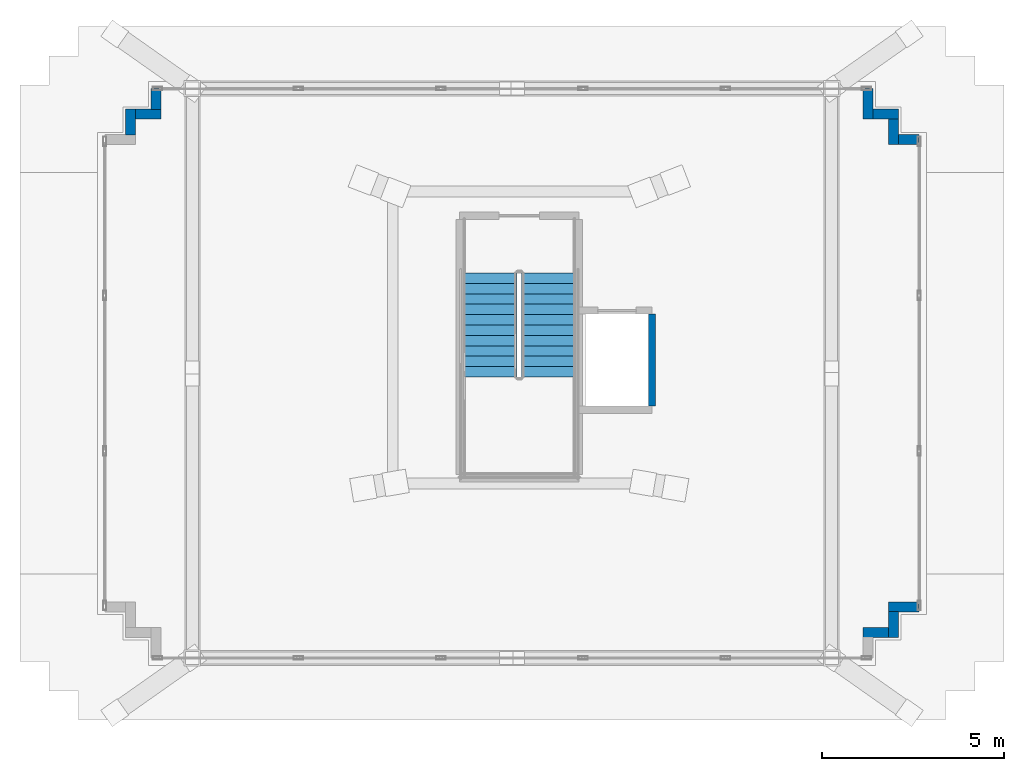
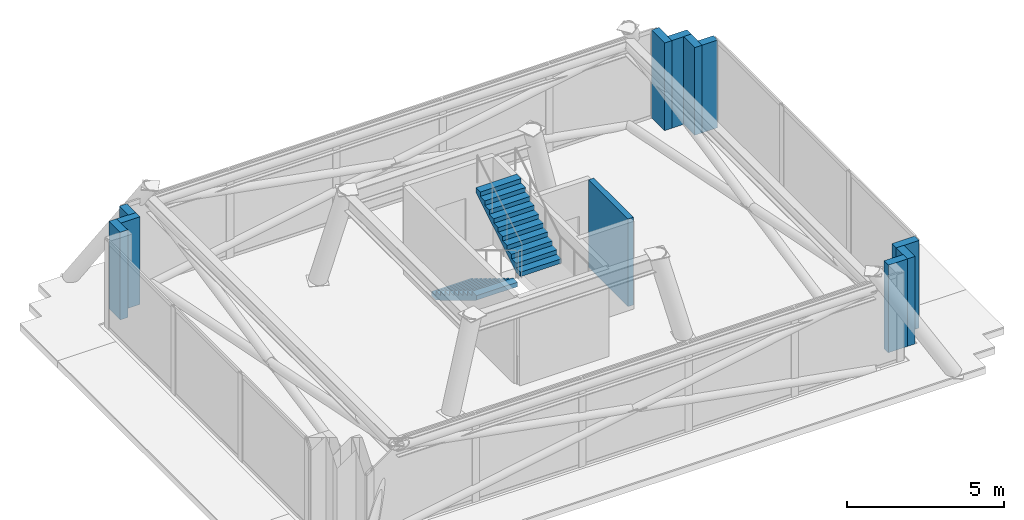
# One storey, part 6 of 8: 11 walls, 2 stair flights, 1 element without a shape of its own.
"""IFC4 building model written with IfcOpenShell, lengths in metres."""

from ifc_helpers import new_model, si_unit, direction, frame, frame_2d, origin, place, context, subcontext, project, spatial, polyline, rectangle, outline, extrude, material, layer, layer_set, type_object, element, aggregate, save


model = new_model("IFC4")

# Units and contexts
model_context = context("Model", 3, precision=1e-05, world=origin(), true_north=direction((0.0, 1.0)))
body_context = subcontext(model_context, "Body", "Model", "MODEL_VIEW")
ifc_project = project(units=[si_unit("LENGTHUNIT", "METRE"), si_unit("AREAUNIT", "SQUARE_METRE"), si_unit("VOLUMEUNIT", "CUBIC_METRE"), si_unit("PLANEANGLEUNIT", "RADIAN"), si_unit("MASSUNIT", "GRAM", prefix="KILO")], contexts=[model_context])

# Site, building, storey
site_placement = place(None, origin())
site = spatial("IfcSite", under=ifc_project, at=site_placement, CompositionType="ELEMENT")
building_placement = place(site_placement, origin())
building = spatial("IfcBuilding", under=site, at=building_placement, Name="Qobustan Lattice House", CompositionType="ELEMENT")
storey_placement = place(building_placement, frame((0.0, 0.0, 289.199951171875)))
storey = spatial("IfcBuildingStorey", under=building, at=storey_placement, Name="L81", CompositionType="ELEMENT", Elevation=289.199951171875)

# Walls
ifc_material_1 = material(Name="Precast concrete C40/50", Category="concrete")
ifc_layer_1 = layer(ifc_material_1, 0.280029296875)
ifc_layer_set_1 = layer_set([ifc_layer_1], Name="Precast concrete C40/50")
wall_type_1 = type_object("IfcWallType", Name="WAL-EXT-CROWN-280", PredefinedType="SOLIDWALL", material=ifc_layer_set_1)
wall_1_placement = place(storey_placement, frame((-10.66650390625, 4.9365234375, 0.0), z_axis=(0.0, 0.0, 1.0), x_axis=(0.0, 1.0, 0.0)))
element("IfcWall", 1, at=wall_1_placement, inside=storey, type_object=wall_type_1, Name="L81 crown faceted limestone wall 7", PredefinedType="SOLIDWALL", context=body_context, shape_type="SweptSolid", body=[
    extrude(rectangle(XDim=0.7119140625, YDim=0.280029296875, at=frame_2d((0.35595703125, 0.0))), origin(), (0.0, 0.0, 1.0), 3.400146484375),
])
wall_2_placement = place(storey_placement, frame((-10.53857421875, 5.508544921875, 0.0), z_axis=(0.0, 0.0, 1.0), x_axis=(1.0, 0.0, 0.0)))
element("IfcWall", 2, at=wall_2_placement, inside=storey, type_object=wall_type_1, Name="L81 crown faceted limestone wall 8", PredefinedType="SOLIDWALL", context=body_context, shape_type="SweptSolid", body=[
    extrude(rectangle(XDim=0.712158203125, YDim=0.280029296875, at=frame_2d((0.35595703125, 0.0))), origin(), (0.0, 0.0, 1.0), 3.400146484375),
])
wall_3_placement = place(storey_placement, frame((-9.966552734375, 5.636474609375, 0.0), z_axis=(0.0, 0.0, 1.0), x_axis=(0.0, 1.0, 0.0)))
element("IfcWall", 3, at=wall_3_placement, inside=storey, type_object=wall_type_1, Name="L81 crown faceted limestone wall 9", PredefinedType="SOLIDWALL", context=body_context, shape_type="SweptSolid", body=[
    extrude(rectangle(XDim=0.572021484375, YDim=0.280029296875, at=frame_2d((0.2861328125, 0.0))), origin(), (0.0, 0.0, 1.0), 3.400146484375),
])
wall_4_placement = place(storey_placement, frame((9.56640625, 6.20849609375, 0.0), z_axis=(0.0, 0.0, 1.0), x_axis=(0.0, -1.0, 0.0)))
element("IfcWall", 4, at=wall_4_placement, inside=storey, type_object=wall_type_1, Name="L81 crown faceted limestone wall 11", PredefinedType="SOLIDWALL", context=body_context, shape_type="SweptSolid", body=[
    extrude(rectangle(XDim=0.840087890625, YDim=0.280029296875, at=frame_2d((0.419921875, 0.0))), origin(), (0.0, 0.0, 1.0), 3.400146484375),
])
wall_5_placement = place(storey_placement, frame((9.694580078125, 5.508544921875, 0.0), z_axis=(0.0, 0.0, 1.0), x_axis=(1.0, 0.0, 0.0)))
element("IfcWall", 5, at=wall_5_placement, inside=storey, type_object=wall_type_1, Name="L81 crown faceted limestone wall 12", PredefinedType="SOLIDWALL", context=body_context, shape_type="SweptSolid", body=[
    extrude(rectangle(XDim=0.7119140625, YDim=0.280029296875, at=frame_2d((0.35595703125, 0.0))), origin(), (0.0, 0.0, 1.0), 3.400146484375),
])
wall_6_placement = place(storey_placement, frame((10.2666015625, 5.380615234375, 0.0), z_axis=(0.0, 0.0, 1.0), x_axis=(0.0, -1.0, 0.0)))
element("IfcWall", 6, at=wall_6_placement, inside=storey, type_object=wall_type_1, Name="L81 crown faceted limestone wall 13", PredefinedType="SOLIDWALL", context=body_context, shape_type="SweptSolid", body=[
    extrude(rectangle(XDim=0.712158203125, YDim=0.280029296875, at=frame_2d((0.35595703125, 0.0))), origin(), (0.0, 0.0, 1.0), 3.400146484375),
])
wall_7_placement = place(storey_placement, frame((10.39453125, 4.80859375, 0.0), z_axis=(0.0, 0.0, 1.0), x_axis=(1.0, 0.0, 0.0)))
element("IfcWall", 7, at=wall_7_placement, inside=storey, type_object=wall_type_1, Name="L81 crown faceted limestone wall 14", PredefinedType="SOLIDWALL", context=body_context, shape_type="SweptSolid", body=[
    extrude(rectangle(XDim=0.572021484375, YDim=0.280029296875, at=frame_2d((0.2861328125, 0.0))), origin(), (0.0, 0.0, 1.0), 3.400146484375),
])
wall_8_placement = place(storey_placement, frame((10.966552734375, -8.008544921875, 0.0), z_axis=(0.0, 0.0, 1.0), x_axis=(-1.0, 0.0, 0.0)))
element("IfcWall", 8, at=wall_8_placement, inside=storey, type_object=wall_type_1, Name="L81 crown faceted limestone wall 16", PredefinedType="SOLIDWALL", context=body_context, shape_type="SweptSolid", body=[
    extrude(rectangle(XDim=0.840087890625, YDim=0.280029296875, at=frame_2d((0.419921875, 0.0))), origin(), (0.0, 0.0, 1.0), 3.400146484375),
])
for number, where, z_axis, x_axis, name in (
    (9, (10.2666015625, -8.136474609375, 0.0), (0.0, 0.0, 1.0), (0.0, -1.0, 0.0), "L81 crown faceted limestone wall 17"),
    (10, (10.138427734375, -8.70849609375, 0.0), (0.0, 0.0, 1.0), (-1.0, 0.0, 0.0), "L81 crown faceted limestone wall 18"),
):
    element("IfcWall", number, at=place(storey_placement, frame(where, z_axis=z_axis, x_axis=x_axis)), inside=storey, type_object=wall_type_1, Name=name, PredefinedType="SOLIDWALL", context=body_context, shape_type="SweptSolid", body=[
        extrude(rectangle(XDim=0.7119140625, YDim=0.280029296875, at=frame_2d((0.35595703125, 0.0))), origin(), (0.0, 0.0, 1.0), 3.400146484375),
    ])
ifc_material_2 = material(Name="Concrete C40/50", Category="concrete")
ifc_layer_2 = layer(ifc_material_2, 0.199951171875)
ifc_layer_set_2 = layer_set([ifc_layer_2], Name="Concrete C40/50")
wall_type_2 = type_object("IfcWallType", Name="WAL-SHAFT-LB-200", PredefinedType="SHEAR", material=ifc_layer_set_2)
wall_9_placement = place(storey_placement, frame((3.639892578125, -2.5, 0.0), z_axis=(0.0, 0.0, 1.0), x_axis=(0.0, 1.0, 0.0)))
element("IfcWall", 11, at=wall_9_placement, inside=storey, type_object=wall_type_2, Name="L81 crown firefighting lift RC shaft wall FFC-E", PredefinedType="SHEAR", context=body_context, shape_type="SweptSolid", body=[
    extrude(rectangle(XDim=2.52001953125, YDim=0.199951171875, at=frame_2d((1.260009765625, 0.0))), origin(), (0.0, 0.0, 1.0), 3.400146484375),
])

# Stair, stair flights
ifc_material_3 = material(Name="Concrete C40/50", Category="concrete")
stair_type = type_object("IfcStairType", Name="STR-CORE-DOGLEG", PredefinedType="HALF_TURN_STAIR", material=ifc_material_3)
stair_placement = place(storey_placement, origin())
stair = element("IfcStair", 12, at=stair_placement, inside=storey, type_object=stair_type, Name="L81 Crown access stair ST-C1", PredefinedType="HALF_TURN_STAIR")
ifc_material_4 = material(Name="Concrete C40/50", Category="concrete")
stair_flight_type = type_object("IfcStairFlightType", Name="SFL-RC-1500", PredefinedType="STRAIGHT", material=ifc_material_4)
stair_flight_1_placement = place(storey_placement, frame((-0.81005859375, 1.14990234375, 0.0), z_axis=(0.0, 0.0, 1.0), x_axis=(0.0, -1.0, 0.0)))
stair_flight_1 = element("IfcStairFlight", 13, at=stair_flight_1_placement, type_object=stair_flight_type, Name="ST-C1 flight 1", NumberOfRisers=11, NumberOfTreads=10, PredefinedType="STRAIGHT", RiserHeight=0.172727273, TreadLength=0.285, context=body_context, shape_type="SweptSolid", body=[
    extrude(outline(polyline([(0.0, 0.0), (0.0, 0.172607421875), (0.284912109375, 0.172607421875), (0.284912109375, 0.345458984375), (0.570068359375, 0.345458984375), (0.570068359375, 0.51806640625), (0.85498046875, 0.51806640625), (0.85498046875, 0.69091796875), (1.139892578125, 0.69091796875), (1.139892578125, 0.863525390625), (1.425048828125, 0.863525390625), (1.425048828125, 1.036376953125), (1.7099609375, 1.036376953125), (1.7099609375, 1.208984375), (1.9951171875, 1.208984375), (1.9951171875, 1.3818359375), (2.280029296875, 1.3818359375), (2.280029296875, 1.554443359375), (2.56494140625, 1.554443359375), (2.56494140625, 1.727294921875), (2.85009765625, 1.727294921875), (2.85009765625, 1.89990234375), (2.85009765625, 1.552001953125), (0.289306640625, 0.0), (0.0, 0.0)])), frame((0.0, 0.75, 0.0), z_axis=(0.0, -1.0, 0.0), x_axis=(1.0, 0.0, 0.0)), (0.0, 0.0, 1.0), 1.5),
])
stair_flight_2_placement = place(storey_placement, frame((0.81005859375, -1.699951171875, 1.900146484375), z_axis=(0.0, 0.0, 1.0), x_axis=(0.0, 1.0, 0.0)))
stair_flight_2 = element("IfcStairFlight", 14, at=stair_flight_2_placement, type_object=stair_flight_type, Name="ST-C1 flight 2", NumberOfRisers=11, NumberOfTreads=10, PredefinedType="STRAIGHT", RiserHeight=0.172727273, TreadLength=0.285, context=body_context, shape_type="SweptSolid", body=[
    extrude(outline(polyline([(0.0, 0.0), (0.0, 0.172607421875), (0.284912109375, 0.172607421875), (0.284912109375, 0.345458984375), (0.570068359375, 0.345458984375), (0.570068359375, 0.51806640625), (0.85498046875, 0.51806640625), (0.85498046875, 0.69091796875), (1.139892578125, 0.69091796875), (1.139892578125, 0.863525390625), (1.425048828125, 0.863525390625), (1.425048828125, 1.036376953125), (1.7099609375, 1.036376953125), (1.7099609375, 1.208984375), (1.9951171875, 1.208984375), (1.9951171875, 1.3818359375), (2.280029296875, 1.3818359375), (2.280029296875, 1.554443359375), (2.56494140625, 1.554443359375), (2.56494140625, 1.727294921875), (2.85009765625, 1.727294921875), (2.85009765625, 1.89990234375), (2.85009765625, 1.552001953125), (0.289306640625, 0.0), (0.0, 0.0)])), frame((0.0, 0.75, 0.0), z_axis=(0.0, -1.0, 0.0), x_axis=(1.0, 0.0, 0.0)), (0.0, 0.0, 1.0), 1.5),
])
aggregate(stair, [stair_flight_1, stair_flight_2])

save(model, "model.ifc")
